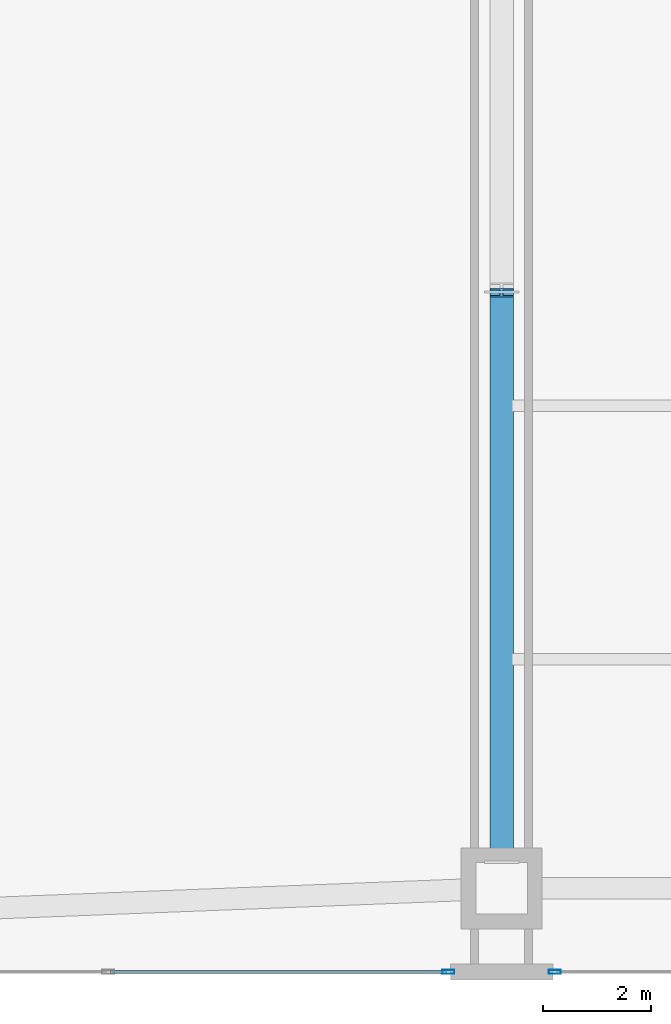
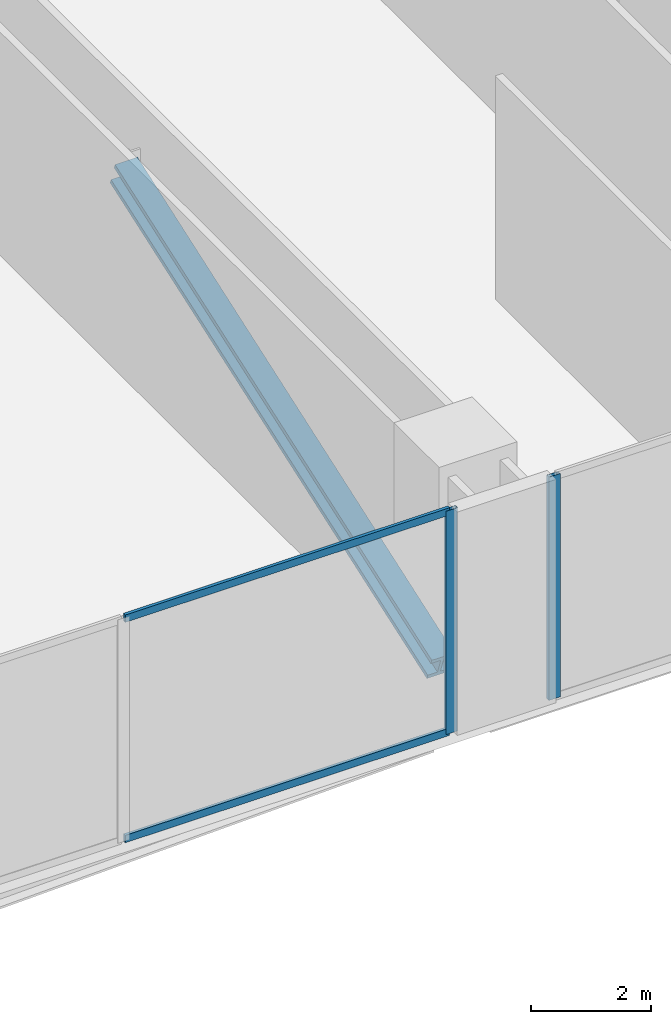
# One storey, part 4 of 33: 5 members, 2 elements without a shape of their own.
"""IFC4 building model written with IfcOpenShell, lengths in metres."""

from ifc_helpers import new_model, si_unit, direction, frame, origin, origin_2d, place, context, subcontext, project, spatial, hollow_rectangle, i_section, extrude, material, layer, layer_set, material_profile, profile_set, type_object, element, aggregate, save


model = new_model("IFC4")

# Units and contexts
model_context = context("Model", 3, precision=1e-05, world=origin(), true_north=direction((0.0, 1.0)))
body_context = subcontext(model_context, "Body", "Model", "MODEL_VIEW")
ifc_project = project(units=[si_unit("LENGTHUNIT", "METRE"), si_unit("AREAUNIT", "SQUARE_METRE"), si_unit("VOLUMEUNIT", "CUBIC_METRE"), si_unit("PLANEANGLEUNIT", "RADIAN"), si_unit("MASSUNIT", "GRAM", prefix="KILO")], contexts=[model_context])

# Site, building, storey
site_placement = place(None, origin())
site = spatial("IfcSite", under=ifc_project, at=site_placement, CompositionType="ELEMENT")
building_placement = place(site_placement, origin())
building = spatial("IfcBuilding", under=site, at=building_placement, Name="Zuhayl Quay Hotel", CompositionType="ELEMENT")
storey_placement = place(building_placement, frame((0.0, 0.0, 18.0)))
storey = spatial("IfcBuildingStorey", under=building, at=storey_placement, Name="L03", CompositionType="ELEMENT", Elevation=18.0)

# Curtain wall, member
ifc_material_1 = material(Name="Anodised Aluminium 6063-T6", Category="aluminium")
ifc_layer = layer(ifc_material_1, 0.199951171875, Name="Anodised Aluminium 6063-T6", Category="aluminium")
ifc_layer_set = layer_set([ifc_layer], Name="Anodised Aluminium 6063-T6")
curtain_wall_type = type_object("IfcCurtainWallType", Name="CW_SYS_POD", PredefinedType="USERDEFINED", material=ifc_layer_set)
curtain_wall_1_placement = place(storey_placement, origin())
curtain_wall_1 = element("IfcCurtainWall", 1, at=curtain_wall_1_placement, inside=storey, type_object=curtain_wall_type, Name="L03 Curtain Wall ENV_L03_E11_CW4", ObjectType="UNITISED CURTAIN WALL", PredefinedType="USERDEFINED")
ifc_material_2 = material(Name="Black-anodised aluminium 6063-T6", Category="aluminium")
ifc_material_profile_1 = material_profile(ifc_material_2, hollow_rectangle(XDim=0.074951171875, YDim=0.219970703125, WallThickness=0.00390625, at=origin_2d()), Name="ALU220X75")
ifc_profile_set_1 = profile_set([ifc_material_profile_1], Name="Black-anodised aluminium 6063-T6")
member_type_1 = type_object("IfcMemberType", Name="MB_CW_MUL_220", PredefinedType="MULLION", material=ifc_profile_set_1)
member_1_placement = place(storey_placement, frame((-12.8125, -24.0, 0.0), z_axis=(0.0, 0.0, 1.0), x_axis=(0.0, -1.0, 0.0)))
member_1 = element("IfcMember", 2, at=member_1_placement, type_object=member_type_1, Name="CW-POD mullion 2", PredefinedType="MULLION", context=body_context, shape_type="SweptSolid", body=[
    extrude(hollow_rectangle(XDim=0.074951171875, YDim=0.219970703125, WallThickness=0.00390625, at=origin_2d()), origin(), (0.0, 0.0, 1.0), 4.5400390625),
])
aggregate(curtain_wall_1, [member_1])

# Curtain wall, members
curtain_wall_2_placement = place(storey_placement, origin())
curtain_wall_2 = element("IfcCurtainWall", 3, at=curtain_wall_2_placement, inside=storey, type_object=curtain_wall_type, Name="L03 Curtain Wall ENV_L03_E11_CW5", ObjectType="UNITISED CURTAIN WALL", PredefinedType="USERDEFINED")
member_2_placement = place(storey_placement, frame((-14.78759765625, -24.0, 0.0), z_axis=(0.0, 0.0, 1.0), x_axis=(0.0, -1.0, 0.0)))
member_2 = element("IfcMember", 4, at=member_2_placement, type_object=member_type_1, Name="CW-POD mullion 1", PredefinedType="MULLION", context=body_context, shape_type="SweptSolid", body=[
    extrude(hollow_rectangle(XDim=0.074951171875, YDim=0.219970703125, WallThickness=0.00390625, at=origin_2d()), origin(), (0.0, 0.0, 1.0), 4.5400390625),
])
ifc_material_profile_2 = material_profile(ifc_material_2, hollow_rectangle(XDim=0.06005859375, YDim=0.14990234375, WallThickness=0.00341796875, at=origin_2d()), Name="ALU150X60")
ifc_profile_set_2 = profile_set([ifc_material_profile_2], Name="Black-anodised aluminium 6063-T6")
member_type_2 = type_object("IfcMemberType", Name="MB_CW_TRN_150", PredefinedType="USERDEFINED", material=ifc_profile_set_2)
member_3_placement = place(storey_placement, frame((-14.824951171875, -24.0, 0.030029296875), z_axis=(-1.0, 0.0, 0.0), x_axis=(0.0, -1.0, 0.0)))
member_3 = element("IfcMember", 5, at=member_3_placement, type_object=member_type_2, Name="CW-POD transom 1.1", ObjectType="TRANSOM", PredefinedType="USERDEFINED", context=body_context, shape_type="SweptSolid", body=[
    extrude(hollow_rectangle(XDim=0.06005859375, YDim=0.14990234375, WallThickness=0.00341796875, at=origin_2d()), origin(), (0.0, 0.0, 1.0), 6.237548828125),
])
member_4_placement = place(storey_placement, frame((-14.824951171875, -24.0, 4.510009765625), z_axis=(-1.0, 0.0, 0.0), x_axis=(0.0, -1.0, 0.0)))
member_4 = element("IfcMember", 6, at=member_4_placement, type_object=member_type_2, Name="CW-POD transom 1.2", ObjectType="TRANSOM", PredefinedType="USERDEFINED", context=body_context, shape_type="SweptSolid", body=[
    extrude(hollow_rectangle(XDim=0.06005859375, YDim=0.14990234375, WallThickness=0.00341796875, at=origin_2d()), origin(), (0.0, 0.0, 1.0), 6.237548828125),
])
aggregate(curtain_wall_2, [member_2, member_3, member_4])

# Member
ifc_material_3 = material(Name="Steel ASTM A913 Grade 65", Category="steel")
ifc_material_profile_3 = material_profile(ifc_material_3, i_section(OverallWidth=0.431884765625, OverallDepth=0.498046875, WebThickness=0.0556640625, FlangeThickness=0.0888671875, at=origin_2d()), Name="W14X500")
ifc_profile_set_3 = profile_set([ifc_material_profile_3], Name="Steel ASTM A913 Grade 65")
member_type_3 = type_object("IfcMemberType", Name="MB_TT_DIAG_500", PredefinedType="BRACE", material=ifc_profile_set_3)
member_5_placement = place(storey_placement, frame((-13.800048828125, -21.949951171875, -0.25), z_axis=(0.0, 0.944209030718, 0.32934678731), x_axis=(-1.0, 0.0, 0.0)))
element("IfcMember", 7, at=member_5_placement, inside=storey, type_object=member_type_3, Name="L03 Ballroom Transfer Truss TT1-1 Diagonal 1", PredefinedType="BRACE", context=body_context, shape_type="SweptSolid", body=[
    extrude(i_section(OverallWidth=0.431884765625, OverallDepth=0.498046875, WebThickness=0.0556640625, FlangeThickness=0.0888671875, at=origin_2d()), origin(), (0.0, 0.0, 1.0), 11.17333984375),
])

save(model, "model.ifc")
